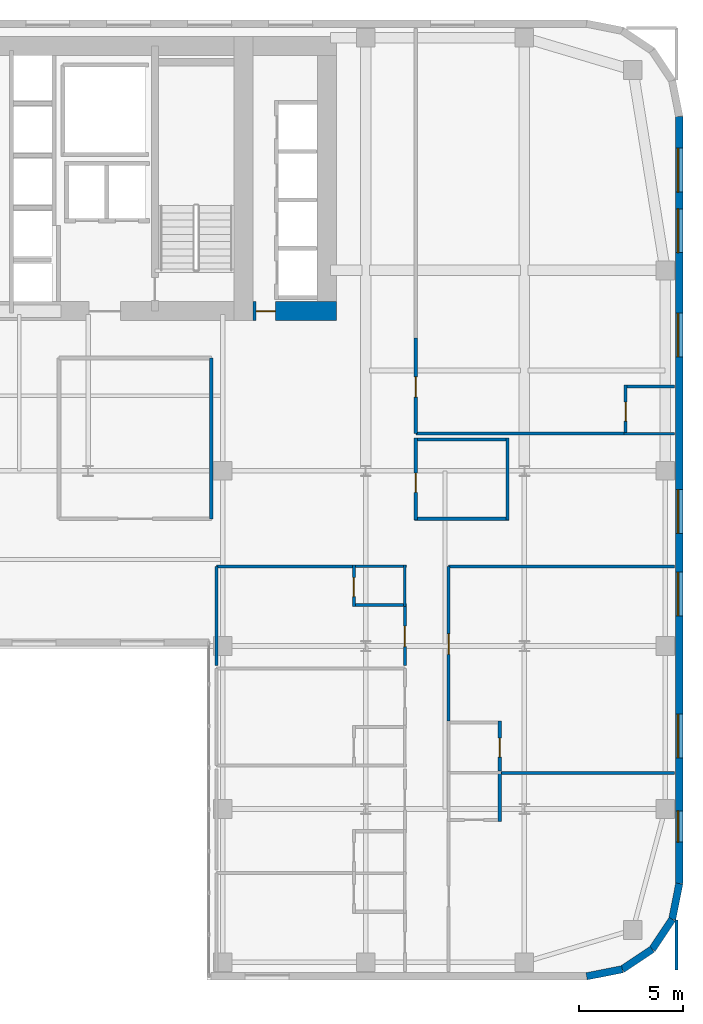
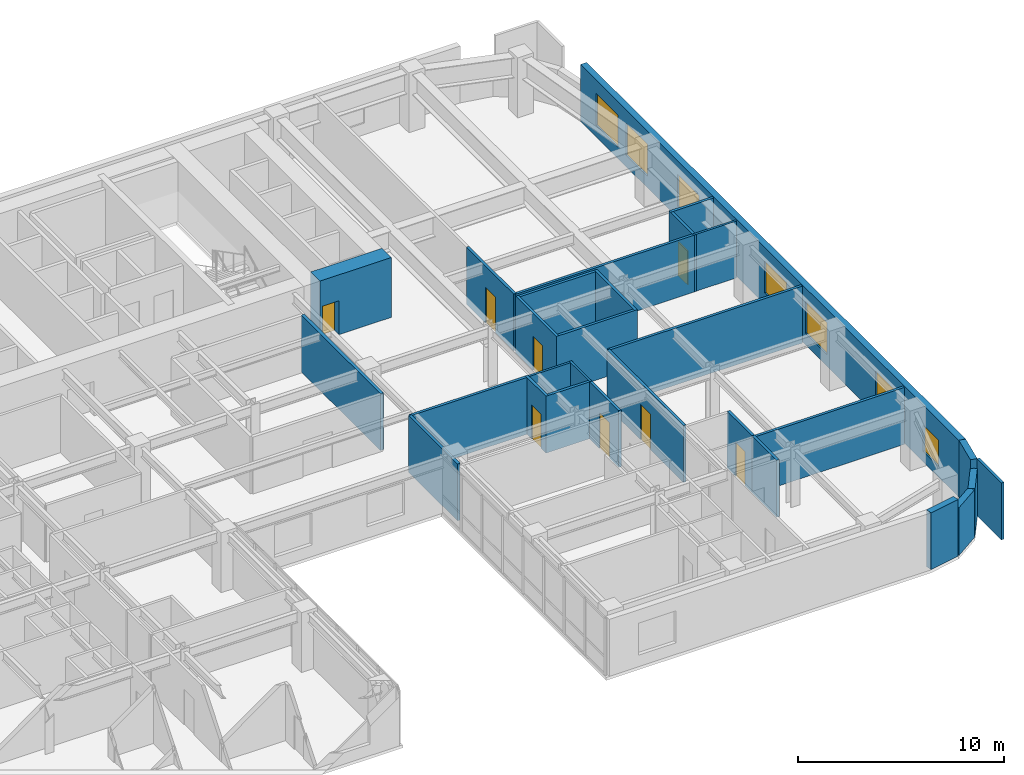
# One storey, part 13 of 16: 29 walls, 8 doors, 7 windows, 15 openings.
"""IFC4 building model written with IfcOpenShell, lengths in metres."""

from ifc_helpers import new_model, si_unit, direction, frame, frame_2d, origin, place, context, subcontext, project, spatial, rectangle, extrude, source, transform, mapped, material, layer, layer_set, type_object, type_shapes, element, fill, save


model = new_model("IFC4")

# Units and contexts
model_context = context("Model", 3, precision=1e-05, world=origin(), true_north=direction((0.0, 1.0)))
body_context = subcontext(model_context, "Body", "Model", "MODEL_VIEW")
ifc_project = project(units=[si_unit("LENGTHUNIT", "METRE"), si_unit("AREAUNIT", "SQUARE_METRE"), si_unit("VOLUMEUNIT", "CUBIC_METRE"), si_unit("PLANEANGLEUNIT", "RADIAN"), si_unit("MASSUNIT", "GRAM", prefix="KILO")], contexts=[model_context])

# Site, building, storey
site_placement = place(None, origin())
site = spatial("IfcSite", under=ifc_project, at=site_placement, CompositionType="ELEMENT")
building_placement = place(site_placement, origin())
building = spatial("IfcBuilding", under=site, at=building_placement, Name="Tolvann Quenvar Hotel", CompositionType="ELEMENT")
storey_placement = place(building_placement, frame((0.0, 0.0, 85.25)))
storey = spatial("IfcBuildingStorey", under=building, at=storey_placement, Name="L21", CompositionType="ELEMENT", Elevation=85.25)

# Wall, opening, door
ifc_material_1 = material(Name="Concrete S80 (80 MPa)", Category="concrete")
ifc_layer_1 = layer(ifc_material_1, 0.89990234375)
ifc_layer_set_1 = layer_set([ifc_layer_1], Name="Concrete S80 (80 MPa)")
wall_type_1 = type_object("IfcWallType", Name="WALL_CORE_900", PredefinedType="SHEAR", material=ifc_layer_set_1)
wall_1_placement = place(storey_placement, frame((36.39990234375, 32.050048828125, 0.0), z_axis=(0.0, 0.0, 1.0), x_axis=(1.0, 0.0, 0.0)))
wall_1 = element("IfcWall", 1, at=wall_1_placement, inside=storey, type_object=wall_type_1, Name="Core East Annex Shear Wall ANN-S (L21)", PredefinedType="SHEAR", context=body_context, shape_type="SweptSolid", body=[
    extrude(rectangle(XDim=4.0, YDim=0.89990234375, at=frame_2d((2.0, 0.0))), origin(), (0.0, 0.0, 1.0), 3.550048828125),
])
opening_1_placement = place(wall_1_placement, frame((1.06982421875, 0.0, 0.0), z_axis=(0.0, 0.0, 1.0), x_axis=(-1.0, 0.0, 0.0)))
opening_1 = element("IfcOpeningElement", 2, at=opening_1_placement, cuts=wall_1, Name="Opening WD-01", PredefinedType="OPENING", context=body_context, shape_type="SweptSolid", body=[
    extrude(rectangle(XDim=0.919921875, YDim=2.010009765625, at=frame_2d((0.4599609375, 1.0048828125))), frame((0.0, 0.4599609375, 0.0), z_axis=(0.0, -1.0, 0.0), x_axis=(1.0, 0.0, 0.0)), (0.0, 0.0, 1.0), 0.919921875),
])
ifc_material_2 = material(Name="Solid-core American oak acoustic fire door leaf in steel frame", Category="steel")
door_type_1 = type_object("IfcDoorType", Name="DOOR_WC_920", OperationType="NOTDEFINED", PredefinedType="DOOR", material=ifc_material_2)
shared_shape_1 = source(origin(), body_context, "Body", "SweptSolid", [
    extrude(rectangle(XDim=0.919921875, YDim=2.010009765625, at=frame_2d((0.4599609375, 1.0048828125))), frame((0.0, 0.02490234375, 0.0), z_axis=(0.0, -1.0, 0.0), x_axis=(1.0, 0.0, 0.0)), (0.0, 0.0, 1.0), 0.050048828125),
])
type_shapes(door_type_1, [shared_shape_1])
door_1_placement = place(opening_1_placement, origin())
door_1 = element("IfcDoor", 3, at=door_1_placement, inside=storey, type_object=door_type_1, Name="Low-Rise Lift Lobby Fire Door (L21)", OperationType="SINGLE_SWING_RIGHT", OverallHeight=2.010009765625, OverallWidth=0.919921875, PredefinedType="DOOR", context=body_context, shape_type="MappedRepresentation", body=[
    mapped(shared_shape_1, transform((0.0, 0.0, 0.0), x_axis=(1.0, 0.0, 0.0), y_axis=(0.0, 1.0, 0.0), z_axis=(0.0, 0.0, 1.0), scale=1.0)),
])
fill(opening_1, door_1)

# Walls
ifc_material_3 = material(Name="Kiln-fired red and buff architectural clay brickwork and terracotta masonry", Category="masonry")
ifc_layer_2 = layer(ifc_material_3, 0.35009765625)
ifc_layer_set_2 = layer_set([ifc_layer_2], Name="Kiln-fired red and buff architectural clay brickwork and terracotta masonry")
wall_type_2 = type_object("IfcWallType", Name="WALL_EXT_BRICK_350", PredefinedType="SOLIDWALL", material=ifc_layer_set_2)
wall_2_placement = place(storey_placement, frame((52.3828125, 0.175048828125, 0.0), z_axis=(0.0, 0.0, 1.0), x_axis=(0.980800971659, 0.195011420161, 0.0)))
element("IfcWall", 4, at=wall_2_placement, inside=storey, type_object=wall_type_2, Name="Exterior Chicago Brick Wall L21-E09", PredefinedType="SOLIDWALL", context=body_context, shape_type="SweptSolid", body=[
    extrude(rectangle(XDim=1.74267578125, YDim=0.35009765625, at=frame_2d((0.871337890625, 0.0))), origin(), (0.0, 0.0, 1.0), 3.3701171875),
])
for number, where, z_axis, x_axis, name in (
    (5, (54.092041015625, 0.514892578125, 0.0), (0.0, 0.0, 1.0), (0.831483840845, 0.55554893791, 0.0), "Exterior Chicago Brick Wall L21-E10"),
    (6, (55.526611328125, 1.473388671875, 0.0), (0.0, 0.0, 1.0), (0.55554893791, 0.831483840845, 0.0), "Exterior Chicago Brick Wall L21-E11"),
):
    element("IfcWall", number, at=place(storey_placement, frame(where, z_axis=z_axis, x_axis=x_axis)), inside=storey, type_object=wall_type_2, Name=name, PredefinedType="SOLIDWALL", context=body_context, shape_type="SweptSolid", body=[
        extrude(rectangle(XDim=1.725341796875, YDim=0.35009765625, at=frame_2d((0.86279296875, 0.0))), origin(), (0.0, 0.0, 1.0), 2.83203125),
    ])
wall_3_placement = place(storey_placement, frame((56.485107421875, 2.907958984375, 0.0), z_axis=(0.0, 0.0, 1.0), x_axis=(0.195011420161, 0.980800971659, 0.0)))
element("IfcWall", 7, at=wall_3_placement, inside=storey, type_object=wall_type_2, Name="Exterior Chicago Brick Wall L21-E12", PredefinedType="SOLIDWALL", context=body_context, shape_type="SweptSolid", body=[
    extrude(rectangle(XDim=1.74267578125, YDim=0.35009765625, at=frame_2d((0.871337890625, 0.0))), origin(), (0.0, 0.0, 1.0), 3.3701171875),
])

# Wall, openings, windows
wall_4_placement = place(storey_placement, frame((56.824951171875, 4.6171875, 0.0), z_axis=(0.0, 0.0, 1.0), x_axis=(0.0, 1.0, 0.0)))
wall_4 = element("IfcWall", 8, at=wall_4_placement, inside=storey, type_object=wall_type_2, Name="Exterior Chicago Brick Wall L21-E13", PredefinedType="SOLIDWALL", context=body_context, shape_type="SweptSolid", body=[
    extrude(rectangle(XDim=36.765625, YDim=0.35009765625, at=frame_2d((18.3828125, 0.0))), origin(), (0.0, 0.0, 1.0), 3.3701171875),
])
opening_2_placement = place(wall_4_placement, frame((6.028076171875, 0.0, 0.679931640625)))
opening_2 = element("IfcOpeningElement", 9, at=opening_2_placement, cuts=wall_4, Name="Opening W-02", PredefinedType="OPENING", context=body_context, shape_type="SweptSolid", body=[
    extrude(rectangle(XDim=2.10009765625, YDim=1.89990234375, at=frame_2d((1.050048828125, 0.949951171875))), frame((0.0, 0.18505859375, 0.0), z_axis=(0.0, -1.0, 0.0), x_axis=(1.0, 0.0, 0.0)), (0.0, 0.0, 1.0), 0.3701171875),
])
opening_3_placement = place(wall_4_placement, frame((12.8310546875, 0.0, 0.679931640625)))
opening_3 = element("IfcOpeningElement", 10, at=opening_3_placement, cuts=wall_4, Name="Opening W-02", PredefinedType="OPENING", context=body_context, shape_type="SweptSolid", body=[
    extrude(rectangle(XDim=2.10009765625, YDim=1.89990234375, at=frame_2d((1.050048828125, 0.949951171875))), frame((0.0, 0.18505859375, 0.0), z_axis=(0.0, -1.0, 0.0), x_axis=(1.0, 0.0, 0.0)), (0.0, 0.0, 1.0), 0.3701171875),
])
opening_4_placement = place(wall_4_placement, frame((16.782958984375, 0.0, 0.679931640625)))
opening_4 = element("IfcOpeningElement", 11, at=opening_4_placement, cuts=wall_4, Name="Opening W-02", PredefinedType="OPENING", context=body_context, shape_type="SweptSolid", body=[
    extrude(rectangle(XDim=2.10009765625, YDim=1.89990234375, at=frame_2d((1.050048828125, 0.949951171875))), frame((0.0, 0.18505859375, 0.0), z_axis=(0.0, -1.0, 0.0), x_axis=(1.0, 0.0, 0.0)), (0.0, 0.0, 1.0), 0.3701171875),
])
opening_5_placement = place(wall_4_placement, frame((25.236083984375, 0.0, 0.679931640625)))
opening_5 = element("IfcOpeningElement", 12, at=opening_5_placement, cuts=wall_4, Name="Opening W-02", PredefinedType="OPENING", context=body_context, shape_type="SweptSolid", body=[
    extrude(rectangle(XDim=2.10009765625, YDim=1.89990234375, at=frame_2d((1.050048828125, 0.949951171875))), frame((0.0, 0.18505859375, 0.0), z_axis=(0.0, -1.0, 0.0), x_axis=(1.0, 0.0, 0.0)), (0.0, 0.0, 1.0), 0.3701171875),
])
opening_6_placement = place(wall_4_placement, frame((30.238037109375, 0.0, 0.679931640625)))
opening_6 = element("IfcOpeningElement", 13, at=opening_6_placement, cuts=wall_4, Name="Opening W-02", PredefinedType="OPENING", context=body_context, shape_type="SweptSolid", body=[
    extrude(rectangle(XDim=2.10009765625, YDim=1.89990234375, at=frame_2d((1.050048828125, 0.949951171875))), frame((0.0, 0.18505859375, 0.0), z_axis=(0.0, -1.0, 0.0), x_axis=(1.0, 0.0, 0.0)), (0.0, 0.0, 1.0), 0.3701171875),
])
opening_7_placement = place(wall_4_placement, frame((33.139892578125, 0.0, 0.679931640625)))
opening_7 = element("IfcOpeningElement", 14, at=opening_7_placement, cuts=wall_4, Name="Opening W-02", PredefinedType="OPENING", context=body_context, shape_type="SweptSolid", body=[
    extrude(rectangle(XDim=2.10009765625, YDim=1.89990234375, at=frame_2d((1.050048828125, 0.949951171875))), frame((0.0, 0.18505859375, 0.0), z_axis=(0.0, -1.0, 0.0), x_axis=(1.0, 0.0, 0.0)), (0.0, 0.0, 1.0), 0.3701171875),
])
opening_8_placement = place(wall_4_placement, frame((1.986083984375, 0.0, 0.6201171875)))
opening_8 = element("IfcOpeningElement", 15, at=opening_8_placement, cuts=wall_4, Name="Opening W-08", PredefinedType="OPENING", context=body_context, shape_type="SweptSolid", body=[
    extrude(rectangle(XDim=1.5, YDim=1.550048828125, at=frame_2d((0.75, 0.77490234375))), frame((0.0, 0.18505859375, 0.0), z_axis=(0.0, -1.0, 0.0), x_axis=(1.0, 0.0, 0.0)), (0.0, 0.0, 1.0), 0.3701171875),
])
ifc_material_4 = material(Name="Thermally broken bronze-anodised aluminium frame with double low-E glazing", Category="aluminium")
window_type_1 = type_object("IfcWindowType", Name="WIN_COR_1500x2050", PartitioningType="SINGLE_PANEL", PredefinedType="WINDOW", material=ifc_material_4)
shared_shape_2 = source(origin(), body_context, "Body", "SweptSolid", [
    extrude(rectangle(XDim=1.5, YDim=1.550048828125, at=frame_2d((0.75, 0.77490234375))), frame((0.0, 0.090087890625, 0.0), z_axis=(0.0, -1.0, 0.0), x_axis=(1.0, 0.0, 0.0)), (0.0, 0.0, 1.0), 0.06005859375),
])
type_shapes(window_type_1, [shared_shape_2])
window_1_placement = place(opening_8_placement, origin())
window_1 = element("IfcWindow", 16, at=window_1_placement, inside=storey, type_object=window_type_1, Name="Chicago Window W-08 (EW-L21-E13-WD07)", OverallHeight=1.550048828125, OverallWidth=1.5, PartitioningType="SINGLE_PANEL", PredefinedType="WINDOW", context=body_context, shape_type="MappedRepresentation", body=[
    mapped(shared_shape_2, transform((0.0, 0.0, 0.0), x_axis=(1.0, 0.0, 0.0), y_axis=(0.0, 1.0, 0.0), z_axis=(0.0, 0.0, 1.0), scale=1.0)),
])
fill(opening_8, window_1)
window_type_2 = type_object("IfcWindowType", Name="WIN_CHI_2100x2050", PartitioningType="TRIPLE_PANEL_HORIZONTAL", PredefinedType="WINDOW", material=ifc_material_4)
shared_shape_3 = source(origin(), body_context, "Body", "SweptSolid", [
    extrude(rectangle(XDim=2.10009765625, YDim=1.89990234375, at=frame_2d((1.050048828125, 0.949951171875))), frame((0.0, 0.090087890625, 0.0), z_axis=(0.0, -1.0, 0.0), x_axis=(1.0, 0.0, 0.0)), (0.0, 0.0, 1.0), 0.06005859375),
])
type_shapes(window_type_2, [shared_shape_3])
window_2_placement = place(opening_2_placement, origin())
window_2 = element("IfcWindow", 17, at=window_2_placement, inside=storey, type_object=window_type_2, Name="Chicago Window W-02 (EW-L21-E13-W01)", OverallHeight=1.89990234375, OverallWidth=2.10009765625, PartitioningType="TRIPLE_PANEL_HORIZONTAL", PredefinedType="WINDOW", context=body_context, shape_type="MappedRepresentation", body=[
    mapped(shared_shape_3, transform((0.0, 0.0, 0.0), x_axis=(1.0, 0.0, 0.0), y_axis=(0.0, 1.0, 0.0), z_axis=(0.0, 0.0, 1.0), scale=1.0)),
])
fill(opening_2, window_2)
window_3_placement = place(opening_3_placement, origin())
window_3 = element("IfcWindow", 18, at=window_3_placement, inside=storey, type_object=window_type_2, Name="Chicago Window W-02 (EW-L21-E13-W02)", OverallHeight=1.89990234375, OverallWidth=2.10009765625, PartitioningType="TRIPLE_PANEL_HORIZONTAL", PredefinedType="WINDOW", context=body_context, shape_type="MappedRepresentation", body=[
    mapped(shared_shape_3, transform((0.0, 0.0, 0.0), x_axis=(1.0, 0.0, 0.0), y_axis=(0.0, 1.0, 0.0), z_axis=(0.0, 0.0, 1.0), scale=1.0)),
])
fill(opening_3, window_3)
window_4_placement = place(opening_4_placement, origin())
window_4 = element("IfcWindow", 19, at=window_4_placement, inside=storey, type_object=window_type_2, Name="Chicago Window W-02 (EW-L21-E13-W03)", OverallHeight=1.89990234375, OverallWidth=2.10009765625, PartitioningType="TRIPLE_PANEL_HORIZONTAL", PredefinedType="WINDOW", context=body_context, shape_type="MappedRepresentation", body=[
    mapped(shared_shape_3, transform((0.0, 0.0, 0.0), x_axis=(1.0, 0.0, 0.0), y_axis=(0.0, 1.0, 0.0), z_axis=(0.0, 0.0, 1.0), scale=1.0)),
])
fill(opening_4, window_4)
window_5_placement = place(opening_5_placement, origin())
window_5 = element("IfcWindow", 20, at=window_5_placement, inside=storey, type_object=window_type_2, Name="Chicago Window W-02 (EW-L21-E13-W04)", OverallHeight=1.89990234375, OverallWidth=2.10009765625, PartitioningType="TRIPLE_PANEL_HORIZONTAL", PredefinedType="WINDOW", context=body_context, shape_type="MappedRepresentation", body=[
    mapped(shared_shape_3, transform((0.0, 0.0, 0.0), x_axis=(1.0, 0.0, 0.0), y_axis=(0.0, 1.0, 0.0), z_axis=(0.0, 0.0, 1.0), scale=1.0)),
])
fill(opening_5, window_5)
window_6_placement = place(opening_6_placement, origin())
window_6 = element("IfcWindow", 21, at=window_6_placement, inside=storey, type_object=window_type_2, Name="Chicago Window W-02 (EW-L21-E13-W05)", OverallHeight=1.89990234375, OverallWidth=2.10009765625, PartitioningType="TRIPLE_PANEL_HORIZONTAL", PredefinedType="WINDOW", context=body_context, shape_type="MappedRepresentation", body=[
    mapped(shared_shape_3, transform((0.0, 0.0, 0.0), x_axis=(1.0, 0.0, 0.0), y_axis=(0.0, 1.0, 0.0), z_axis=(0.0, 0.0, 1.0), scale=1.0)),
])
fill(opening_6, window_6)
window_7_placement = place(opening_7_placement, origin())
window_7 = element("IfcWindow", 22, at=window_7_placement, inside=storey, type_object=window_type_2, Name="Chicago Window W-02 (EW-L21-E13-W06)", OverallHeight=1.89990234375, OverallWidth=2.10009765625, PartitioningType="TRIPLE_PANEL_HORIZONTAL", PredefinedType="WINDOW", context=body_context, shape_type="MappedRepresentation", body=[
    mapped(shared_shape_3, transform((0.0, 0.0, 0.0), x_axis=(1.0, 0.0, 0.0), y_axis=(0.0, 1.0, 0.0), z_axis=(0.0, 0.0, 1.0), scale=1.0)),
])
fill(opening_7, window_7)

# Walls
ifc_material_5 = material(Name="Acoustic twin-stud fire-rated gypsum plasterboard partition")
ifc_layer_3 = layer(ifc_material_5, 0.179931640625)
ifc_layer_set_3 = layer_set([ifc_layer_3], Name="Acoustic twin-stud fire-rated gypsum plasterboard partition")
wall_type_3 = type_object("IfcWallType", Name="WALL_PART_ACOUSTIC_180", PredefinedType="PARTITIONING", material=ifc_layer_set_3)
wall_5_placement = place(storey_placement, frame((34.39990234375, 22.10009765625, 0.0), z_axis=(0.0, 0.0, 1.0), x_axis=(0.0, 1.0, 0.0)))
element("IfcWall", 23, at=wall_5_placement, inside=storey, type_object=wall_type_3, Name="Interior Partition PT-SPC-L21-MSP-C-E", PredefinedType="PARTITIONING", context=body_context, shape_type="SweptSolid", body=[
    extrude(rectangle(XDim=7.699951171875, YDim=0.179931640625, at=frame_2d((3.85009765625, 0.0))), origin(), (0.0, 0.0, 1.0), 3.3701171875),
])
ifc_material_6 = material(Name="Moisture-resistant acoustic plumbing wall assembly")
ifc_layer_4 = layer(ifc_material_6, 0.1201171875)
ifc_layer_set_4 = layer_set([ifc_layer_4], Name="Moisture-resistant acoustic plumbing wall assembly")
wall_type_4 = type_object("IfcWallType", Name="WALL_PART_BATH_120", PredefinedType="PLUMBINGWALL", material=ifc_layer_set_4)
wall_6_placement = place(storey_placement, frame((41.159912109375, 19.820068359375, 0.0), z_axis=(0.0, 0.0, 1.0), x_axis=(1.0, 0.0, 0.0)))
element("IfcWall", 24, at=wall_6_placement, inside=storey, type_object=wall_type_4, Name="Non-Rated Plumbing Partition PT-SPC-L21-ENS-EI04-N", PredefinedType="PLUMBINGWALL", context=body_context, shape_type="SweptSolid", body=[
    extrude(rectangle(XDim=2.590087890625, YDim=0.1201171875, at=frame_2d((1.294921875, 0.0))), origin(), (0.0, 0.0, 1.0), 3.3701171875),
])
wall_7_placement = place(storey_placement, frame((43.679931640625, 17.89990234375, 0.0), z_axis=(0.0, 0.0, 1.0), x_axis=(0.0, 1.0, 0.0)))
element("IfcWall", 25, at=wall_7_placement, inside=storey, type_object=wall_type_4, Name="Non-Rated Plumbing Partition PT-SPC-L21-ENS-EI04-E", PredefinedType="PLUMBINGWALL", context=body_context, shape_type="SweptSolid", body=[
    extrude(rectangle(XDim=1.989990234375, YDim=0.1201171875, at=frame_2d((0.9951171875, 0.0))), origin(), (0.0, 0.0, 1.0), 3.3701171875),
])
wall_8_placement = place(storey_placement, frame((54.179931640625, 26.179931640625, 0.0), z_axis=(0.0, 0.0, 1.0), x_axis=(1.0, 0.0, 0.0)))
element("IfcWall", 26, at=wall_8_placement, inside=storey, type_object=wall_type_4, Name="Non-Rated Plumbing Partition PT-SPC-L21-ENS-NE01-S", PredefinedType="PLUMBINGWALL", context=body_context, shape_type="SweptSolid", body=[
    extrude(rectangle(XDim=2.4150390625, YDim=0.1201171875, at=frame_2d((1.20751953125, 0.0))), origin(), (0.0, 0.0, 1.0), 3.3701171875),
])

# Wall, opening, door
ifc_layer_5 = layer(ifc_material_5, 0.14990234375)
ifc_layer_set_5 = layer_set([ifc_layer_5], Name="Acoustic twin-stud fire-rated gypsum plasterboard partition")
wall_type_5 = type_object("IfcWallType", Name="WALL_PART_SUITE_150", PredefinedType="PARTITIONING", material=ifc_layer_set_5)
wall_9_placement = place(storey_placement, frame((41.22998046875, 17.89990234375, 0.0), z_axis=(0.0, 0.0, 1.0), x_axis=(0.0, 1.0, 0.0)))
wall_9 = element("IfcWall", 27, at=wall_9_placement, inside=storey, type_object=wall_type_5, Name="Interior Partition PT-SPC-L21-ENS-EI04-ENT", PredefinedType="PARTITIONING", context=body_context, shape_type="SweptSolid", body=[
    extrude(rectangle(XDim=1.989990234375, YDim=0.14990234375, at=frame_2d((0.9951171875, 0.0))), origin(), (0.0, 0.0, 1.0), 3.3701171875),
])
opening_9_placement = place(wall_9_placement, frame((0.465087890625, 0.0, 0.0)))
opening_9 = element("IfcOpeningElement", 28, at=opening_9_placement, cuts=wall_9, Name="Opening WD-01", PredefinedType="OPENING", context=body_context, shape_type="SweptSolid", body=[
    extrude(rectangle(XDim=0.919921875, YDim=2.010009765625, at=frame_2d((0.4599609375, 1.0048828125))), frame((0.0, 0.0849609375, 0.0), z_axis=(0.0, -1.0, 0.0), x_axis=(1.0, 0.0, 0.0)), (0.0, 0.0, 1.0), 0.169921875),
])
door_2_placement = place(opening_9_placement, origin())
door_2 = element("IfcDoor", 29, at=door_2_placement, inside=storey, type_object=door_type_1, Name="Interior Door DOOR-SPC-L21-ENS-EI04", OperationType="SINGLE_SWING_RIGHT", OverallHeight=2.010009765625, OverallWidth=0.919921875, PredefinedType="DOOR", context=body_context, shape_type="MappedRepresentation", body=[
    mapped(shared_shape_1, transform((0.0, 0.0, 0.0), x_axis=(1.0, 0.0, 0.0), y_axis=(0.0, 1.0, 0.0), z_axis=(0.0, 0.0, 1.0), scale=1.0)),
])
fill(opening_9, door_2)

# Walls
wall_10_placement = place(storey_placement, frame((41.159912109375, 17.969970703125, 0.0), z_axis=(0.0, 0.0, 1.0), x_axis=(1.0, 0.0, 0.0)))
element("IfcWall", 30, at=wall_10_placement, inside=storey, type_object=wall_type_5, Name="Interior Partition PT-SPC-L21-ENS-EI04-S", PredefinedType="PARTITIONING", context=body_context, shape_type="SweptSolid", body=[
    extrude(rectangle(XDim=2.590087890625, YDim=0.14990234375, at=frame_2d((1.294921875, 0.0))), origin(), (0.0, 0.0, 1.0), 3.3701171875),
])
wall_11_placement = place(storey_placement, frame((48.219970703125, 7.60009765625, 0.0), z_axis=(0.0, 0.0, 1.0), x_axis=(0.0, 1.0, 0.0)))
element("IfcWall", 31, at=wall_11_placement, inside=storey, type_object=wall_type_5, Name="Interior Partition PT-SPC-L21-ENS-EO01-ENT", PredefinedType="PARTITIONING", context=body_context, shape_type="SweptSolid", body=[
    extrude(rectangle(XDim=2.389892578125, YDim=0.14990234375, at=frame_2d((1.19482421875, 0.0))), origin(), (0.0, 0.0, 1.0), 3.3701171875),
])

# Wall, opening, door
wall_12_placement = place(storey_placement, frame((48.219970703125, 10.010009765625, 0.0), z_axis=(0.0, 0.0, 1.0), x_axis=(0.0, 1.0, 0.0)))
wall_12 = element("IfcWall", 32, at=wall_12_placement, inside=storey, type_object=wall_type_5, Name="Interior Partition PT-SPC-L21-ENS-EO02-ENT", PredefinedType="PARTITIONING", context=body_context, shape_type="SweptSolid", body=[
    extrude(rectangle(XDim=2.389892578125, YDim=0.14990234375, at=frame_2d((1.19482421875, 0.0))), origin(), (0.0, 0.0, 1.0), 3.3701171875),
])
opening_10_placement = place(wall_12_placement, frame((0.6650390625, 0.0, 0.0)))
opening_10 = element("IfcOpeningElement", 33, at=opening_10_placement, cuts=wall_12, Name="Opening WD-01", PredefinedType="OPENING", context=body_context, shape_type="SweptSolid", body=[
    extrude(rectangle(XDim=0.919921875, YDim=2.010009765625, at=frame_2d((0.4599609375, 1.0048828125))), frame((0.0, 0.0849609375, 0.0), z_axis=(0.0, -1.0, 0.0), x_axis=(1.0, 0.0, 0.0)), (0.0, 0.0, 1.0), 0.169921875),
])
door_3_placement = place(opening_10_placement, origin())
door_3 = element("IfcDoor", 34, at=door_3_placement, inside=storey, type_object=door_type_1, Name="Interior Door DOOR-SPC-L21-ENS-EO02", OperationType="SINGLE_SWING_RIGHT", OverallHeight=2.010009765625, OverallWidth=0.919921875, PredefinedType="DOOR", context=body_context, shape_type="MappedRepresentation", body=[
    mapped(shared_shape_1, transform((0.0, 0.0, 0.0), x_axis=(1.0, 0.0, 0.0), y_axis=(0.0, 1.0, 0.0), z_axis=(0.0, 0.0, 1.0), scale=1.0)),
])
fill(opening_10, door_3)

wall_13_placement = place(storey_placement, frame((54.25, 26.110107421875, 0.0), z_axis=(0.0, 0.0, 1.0), x_axis=(0.0, 1.0, 0.0)))
wall_13 = element("IfcWall", 35, at=wall_13_placement, inside=storey, type_object=wall_type_5, Name="Interior Partition PT-SPC-L21-ENS-NE01-ENT", PredefinedType="PARTITIONING", context=body_context, shape_type="SweptSolid", body=[
    extrude(rectangle(XDim=2.389892578125, YDim=0.14990234375, at=frame_2d((1.19482421875, 0.0))), origin(), (0.0, 0.0, 1.0), 3.3701171875),
])
opening_11_placement = place(wall_13_placement, frame((0.6650390625, 0.0, 0.0)))
opening_11 = element("IfcOpeningElement", 36, at=opening_11_placement, cuts=wall_13, Name="Opening WD-01", PredefinedType="OPENING", context=body_context, shape_type="SweptSolid", body=[
    extrude(rectangle(XDim=0.919921875, YDim=2.010009765625, at=frame_2d((0.4599609375, 1.0048828125))), frame((0.0, 0.0849609375, 0.0), z_axis=(0.0, -1.0, 0.0), x_axis=(1.0, 0.0, 0.0)), (0.0, 0.0, 1.0), 0.169921875),
])
door_4_placement = place(opening_11_placement, origin())
door_4 = element("IfcDoor", 37, at=door_4_placement, inside=storey, type_object=door_type_1, Name="Interior Door DOOR-SPC-L21-ENS-NE01", OperationType="SINGLE_SWING_LEFT", OverallHeight=2.010009765625, OverallWidth=0.919921875, PredefinedType="DOOR", context=body_context, shape_type="MappedRepresentation", body=[
    mapped(shared_shape_1, transform((0.0, 0.0, 0.0), x_axis=(1.0, 0.0, 0.0), y_axis=(0.0, 1.0, 0.0), z_axis=(0.0, 0.0, 1.0), scale=1.0)),
])
fill(opening_11, door_4)

# Wall
wall_14_placement = place(storey_placement, frame((54.179931640625, 28.429931640625, 0.0), z_axis=(0.0, 0.0, 1.0), x_axis=(1.0, 0.0, 0.0)))
element("IfcWall", 38, at=wall_14_placement, inside=storey, type_object=wall_type_5, Name="Interior Partition PT-SPC-L21-ENS-NE01-N", PredefinedType="PARTITIONING", context=body_context, shape_type="SweptSolid", body=[
    extrude(rectangle(XDim=2.4150390625, YDim=0.14990234375, at=frame_2d((1.20751953125, 0.0))), origin(), (0.0, 0.0, 1.0), 3.3701171875),
])

# Wall, opening, door
wall_15_placement = place(storey_placement, frame((43.679931640625, 15.080078125, 0.0), z_axis=(0.0, 0.0, 1.0), x_axis=(0.0, 1.0, 0.0)))
wall_15 = element("IfcWall", 39, at=wall_15_placement, inside=storey, type_object=wall_type_5, Name="Interior Partition PT-SPC-L21-RM-EI04-ENT", PredefinedType="PARTITIONING", context=body_context, shape_type="SweptSolid", body=[
    extrude(rectangle(XDim=2.809814453125, YDim=0.14990234375, at=frame_2d((1.40478515625, 0.0))), origin(), (0.0, 0.0, 1.0), 3.3701171875),
])
opening_12_placement = place(wall_15_placement, frame((0.89501953125, 0.0, 0.0)))
opening_12 = element("IfcOpeningElement", 40, at=opening_12_placement, cuts=wall_15, Name="Opening SD-01", PredefinedType="OPENING", context=body_context, shape_type="SweptSolid", body=[
    extrude(rectangle(XDim=0.97998046875, YDim=2.1201171875, at=frame_2d((0.489990234375, 1.06005859375))), frame((0.0, 0.0849609375, 0.0), z_axis=(0.0, -1.0, 0.0), x_axis=(1.0, 0.0, 0.0)), (0.0, 0.0, 1.0), 0.169921875),
])
door_type_2 = type_object("IfcDoorType", Name="DOOR_SUITE_980", OperationType="NOTDEFINED", PredefinedType="DOOR", material=ifc_material_2)
shared_shape_4 = source(origin(), body_context, "Body", "SweptSolid", [
    extrude(rectangle(XDim=0.97998046875, YDim=2.1201171875, at=frame_2d((0.489990234375, 1.06005859375))), frame((0.0, 0.02490234375, 0.0), z_axis=(0.0, -1.0, 0.0), x_axis=(1.0, 0.0, 0.0)), (0.0, 0.0, 1.0), 0.050048828125),
])
type_shapes(door_type_2, [shared_shape_4])
door_5_placement = place(opening_12_placement, origin())
door_5 = element("IfcDoor", 41, at=door_5_placement, inside=storey, type_object=door_type_2, Name="Interior Door DOOR-SPC-L21-RM-EI04", OperationType="SINGLE_SWING_RIGHT", OverallHeight=2.1201171875, OverallWidth=0.97998046875, PredefinedType="DOOR", context=body_context, shape_type="MappedRepresentation", body=[
    mapped(shared_shape_4, transform((0.0, 0.0, 0.0), x_axis=(1.0, 0.0, 0.0), y_axis=(0.0, 1.0, 0.0), z_axis=(0.0, 0.0, 1.0), scale=1.0)),
])
fill(opening_12, door_5)

# Walls
wall_16_placement = place(storey_placement, frame((34.64990234375, 19.820068359375, 0.0), z_axis=(0.0, 0.0, 1.0), x_axis=(1.0, 0.0, 0.0)))
element("IfcWall", 42, at=wall_16_placement, inside=storey, type_object=wall_type_5, Name="Interior Partition PT-SPC-L21-RM-EI04-E5", PredefinedType="PARTITIONING", context=body_context, shape_type="SweptSolid", body=[
    extrude(rectangle(XDim=6.56005859375, YDim=0.14990234375, at=frame_2d((3.280029296875, 0.0))), origin(), (0.0, 0.0, 1.0), 3.3701171875),
])
wall_17_placement = place(storey_placement, frame((34.64990234375, 15.080078125, 0.0), z_axis=(0.0, 0.0, 1.0), x_axis=(0.0, 1.0, 0.0)))
element("IfcWall", 43, at=wall_17_placement, inside=storey, type_object=wall_type_5, Name="Interior Partition PT-SPC-L21-RM-EI04-E6", PredefinedType="PARTITIONING", context=body_context, shape_type="SweptSolid", body=[
    extrude(rectangle(XDim=4.739990234375, YDim=0.14990234375, at=frame_2d((2.3701171875, 0.0))), origin(), (0.0, 0.0, 1.0), 3.3701171875),
])
wall_18_placement = place(storey_placement, frame((56.699951171875, 0.47998046875, 0.0), z_axis=(0.0, 0.0, 1.0), x_axis=(0.0, 1.0, 0.0)))
element("IfcWall", 44, at=wall_18_placement, inside=storey, type_object=wall_type_5, Name="Interior Partition PT-SPC-L21-RM-EO01-E2", PredefinedType="PARTITIONING", context=body_context, shape_type="SweptSolid", body=[
    extrude(rectangle(XDim=2.385009765625, YDim=0.14990234375, at=frame_2d((1.1923828125, 0.0))), origin(), (0.0, 0.0, 1.0), 3.3701171875),
])
wall_19_placement = place(storey_placement, frame((48.239990234375, 9.919921875, 0.0), z_axis=(0.0, 0.0, 1.0), x_axis=(1.0, 0.0, 0.0)))
element("IfcWall", 45, at=wall_19_placement, inside=storey, type_object=wall_type_5, Name="Interior Partition PT-SPC-L21-RM-EO01-E3", PredefinedType="PARTITIONING", context=body_context, shape_type="SweptSolid", body=[
    extrude(rectangle(XDim=8.35498046875, YDim=0.14990234375, at=frame_2d((4.177490234375, 0.0))), origin(), (0.0, 0.0, 1.0), 3.3701171875),
])

# Wall, opening, door
wall_20_placement = place(storey_placement, frame((45.77001953125, 12.409912109375, 0.0), z_axis=(0.0, 0.0, 1.0), x_axis=(0.0, 1.0, 0.0)))
wall_20 = element("IfcWall", 46, at=wall_20_placement, inside=storey, type_object=wall_type_5, Name="Interior Partition PT-SPC-L21-RM-EO02-ENT", PredefinedType="PARTITIONING", context=body_context, shape_type="SweptSolid", body=[
    extrude(rectangle(XDim=7.41015625, YDim=0.14990234375, at=frame_2d((3.705078125, 0.0))), origin(), (0.0, 0.0, 1.0), 3.3701171875),
])
opening_13_placement = place(wall_20_placement, frame((3.195068359375, 0.0, 0.0)))
opening_13 = element("IfcOpeningElement", 47, at=opening_13_placement, cuts=wall_20, Name="Opening SD-01", PredefinedType="OPENING", context=body_context, shape_type="SweptSolid", body=[
    extrude(rectangle(XDim=0.97998046875, YDim=2.1201171875, at=frame_2d((0.489990234375, 1.06005859375))), frame((0.0, 0.0849609375, 0.0), z_axis=(0.0, -1.0, 0.0), x_axis=(1.0, 0.0, 0.0)), (0.0, 0.0, 1.0), 0.169921875),
])
door_6_placement = place(opening_13_placement, origin())
door_6 = element("IfcDoor", 48, at=door_6_placement, inside=storey, type_object=door_type_2, Name="Interior Door DOOR-SPC-L21-RM-EO02", OperationType="SINGLE_SWING_RIGHT", OverallHeight=2.1201171875, OverallWidth=0.97998046875, PredefinedType="DOOR", context=body_context, shape_type="MappedRepresentation", body=[
    mapped(shared_shape_4, transform((0.0, 0.0, 0.0), x_axis=(1.0, 0.0, 0.0), y_axis=(0.0, 1.0, 0.0), z_axis=(0.0, 0.0, 1.0), scale=1.0)),
])
fill(opening_13, door_6)

# Wall
wall_21_placement = place(storey_placement, frame((45.77001953125, 19.820068359375, 0.0), z_axis=(0.0, 0.0, 1.0), x_axis=(1.0, 0.0, 0.0)))
element("IfcWall", 49, at=wall_21_placement, inside=storey, type_object=wall_type_5, Name="Interior Partition PT-SPC-L21-RM-EO02-E5", PredefinedType="PARTITIONING", context=body_context, shape_type="SweptSolid", body=[
    extrude(rectangle(XDim=10.824951171875, YDim=0.14990234375, at=frame_2d((5.41259765625, 0.0))), origin(), (0.0, 0.0, 1.0), 3.3701171875),
])

# Wall, opening, door
wall_22_placement = place(storey_placement, frame((44.199951171875, 22.030029296875, 0.0), z_axis=(0.0, 0.0, 1.0), x_axis=(0.0, 1.0, 0.0)))
wall_22 = element("IfcWall", 50, at=wall_22_placement, inside=storey, type_object=wall_type_5, Name="Interior Partition PT-SPC-L21-WCA-ENT", PredefinedType="PARTITIONING", context=body_context, shape_type="SweptSolid", body=[
    extrude(rectangle(XDim=3.93994140625, YDim=0.14990234375, at=frame_2d((1.969970703125, 0.0))), origin(), (0.0, 0.0, 1.0), 3.3701171875),
])
opening_14_placement = place(wall_22_placement, frame((1.340087890625, 0.0, 0.0)))
opening_14 = element("IfcOpeningElement", 51, at=opening_14_placement, cuts=wall_22, Name="Opening WD-01", PredefinedType="OPENING", context=body_context, shape_type="SweptSolid", body=[
    extrude(rectangle(XDim=0.919921875, YDim=2.010009765625, at=frame_2d((0.4599609375, 1.0048828125))), frame((0.0, 0.0849609375, 0.0), z_axis=(0.0, -1.0, 0.0), x_axis=(1.0, 0.0, 0.0)), (0.0, 0.0, 1.0), 0.169921875),
])
door_7_placement = place(opening_14_placement, origin())
door_7 = element("IfcDoor", 52, at=door_7_placement, inside=storey, type_object=door_type_1, Name="Interior Door DOOR-SPC-L21-WCA", OperationType="SINGLE_SWING_LEFT", OverallHeight=2.010009765625, OverallWidth=0.919921875, PredefinedType="DOOR", context=body_context, shape_type="MappedRepresentation", body=[
    mapped(shared_shape_1, transform((0.0, 0.0, 0.0), x_axis=(1.0, 0.0, 0.0), y_axis=(0.0, 1.0, 0.0), z_axis=(0.0, 0.0, 1.0), scale=1.0)),
])
fill(opening_14, door_7)

# Walls
for number, where, z_axis, x_axis, name in (
    (53, (44.1298828125, 22.10009765625, 0.0), (0.0, 0.0, 1.0), (1.0, 0.0, 0.0), "Interior Partition PT-SPC-L21-WCA-S"),
    (54, (44.1298828125, 25.89990234375, 0.0), (0.0, 0.0, 1.0), (1.0, 0.0, 0.0), "Interior Partition PT-SPC-L21-WCA-N"),
):
    element("IfcWall", number, at=place(storey_placement, frame(where, z_axis=z_axis, x_axis=x_axis)), inside=storey, type_object=wall_type_5, Name=name, PredefinedType="PARTITIONING", context=body_context, shape_type="SweptSolid", body=[
        extrude(rectangle(XDim=4.5400390625, YDim=0.14990234375, at=frame_2d((2.27001953125, 0.0))), origin(), (0.0, 0.0, 1.0), 3.3701171875),
    ])
wall_23_placement = place(storey_placement, frame((48.60009765625, 22.030029296875, 0.0), z_axis=(0.0, 0.0, 1.0), x_axis=(0.0, 1.0, 0.0)))
element("IfcWall", 55, at=wall_23_placement, inside=storey, type_object=wall_type_5, Name="Interior Partition PT-SPC-L21-WCA-E", PredefinedType="PARTITIONING", context=body_context, shape_type="SweptSolid", body=[
    extrude(rectangle(XDim=3.93994140625, YDim=0.14990234375, at=frame_2d((1.969970703125, 0.0))), origin(), (0.0, 0.0, 1.0), 3.3701171875),
])

# Wall, opening, door
wall_24_placement = place(storey_placement, frame((44.199951171875, 26.179931640625, 0.0), z_axis=(0.0, 0.0, 1.0), x_axis=(0.0, 1.0, 0.0)))
wall_24 = element("IfcWall", 56, at=wall_24_placement, inside=storey, type_object=wall_type_5, Name="Interior Partition PT-SPC-L21-RM-NE01-ENT", PredefinedType="PARTITIONING", context=body_context, shape_type="SweptSolid", body=[
    extrude(rectangle(XDim=4.580078125, YDim=0.14990234375, at=frame_2d((2.2900390625, 0.0))), origin(), (0.0, 0.0, 1.0), 3.3701171875),
])
opening_15_placement = place(wall_24_placement, frame((1.7451171875, 0.0, 0.0)))
opening_15 = element("IfcOpeningElement", 57, at=opening_15_placement, cuts=wall_24, Name="Opening SD-01", PredefinedType="OPENING", context=body_context, shape_type="SweptSolid", body=[
    extrude(rectangle(XDim=0.97998046875, YDim=2.1201171875, at=frame_2d((0.489990234375, 1.06005859375))), frame((0.0, 0.0849609375, 0.0), z_axis=(0.0, -1.0, 0.0), x_axis=(1.0, 0.0, 0.0)), (0.0, 0.0, 1.0), 0.169921875),
])
door_8_placement = place(opening_15_placement, origin())
door_8 = element("IfcDoor", 58, at=door_8_placement, inside=storey, type_object=door_type_2, Name="Interior Door DOOR-SPC-L21-RM-NE01", OperationType="SINGLE_SWING_RIGHT", OverallHeight=2.1201171875, OverallWidth=0.97998046875, PredefinedType="DOOR", context=body_context, shape_type="MappedRepresentation", body=[
    mapped(shared_shape_4, transform((0.0, 0.0, 0.0), x_axis=(1.0, 0.0, 0.0), y_axis=(0.0, 1.0, 0.0), z_axis=(0.0, 0.0, 1.0), scale=1.0)),
])
fill(opening_15, door_8)

# Wall
wall_25_placement = place(storey_placement, frame((44.199951171875, 26.179931640625, 0.0), z_axis=(0.0, 0.0, 1.0), x_axis=(1.0, 0.0, 0.0)))
element("IfcWall", 59, at=wall_25_placement, inside=storey, type_object=wall_type_5, Name="Interior Partition PT-SPC-L21-RM-NE01-E1", PredefinedType="PARTITIONING", context=body_context, shape_type="SweptSolid", body=[
    extrude(rectangle(XDim=10.030029296875, YDim=0.14990234375, at=frame_2d((5.01513671875, 0.0))), origin(), (0.0, 0.0, 1.0), 3.3701171875),
])

save(model, "model.ifc")
